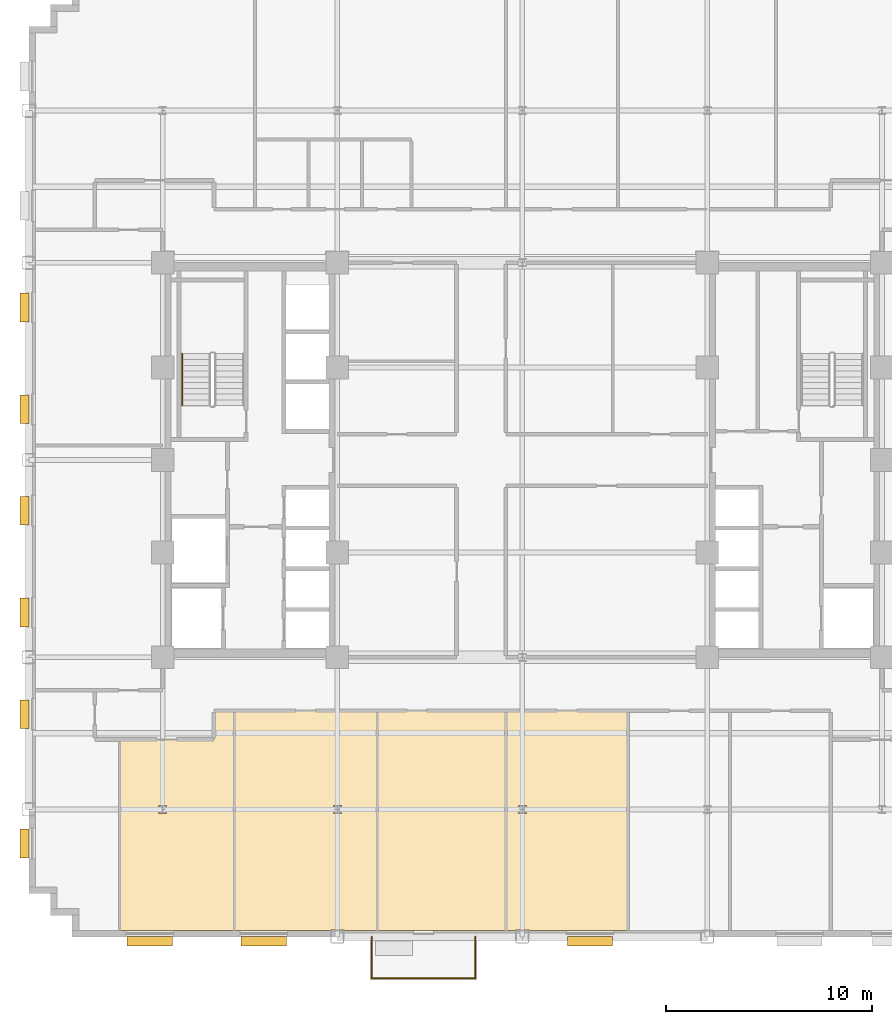
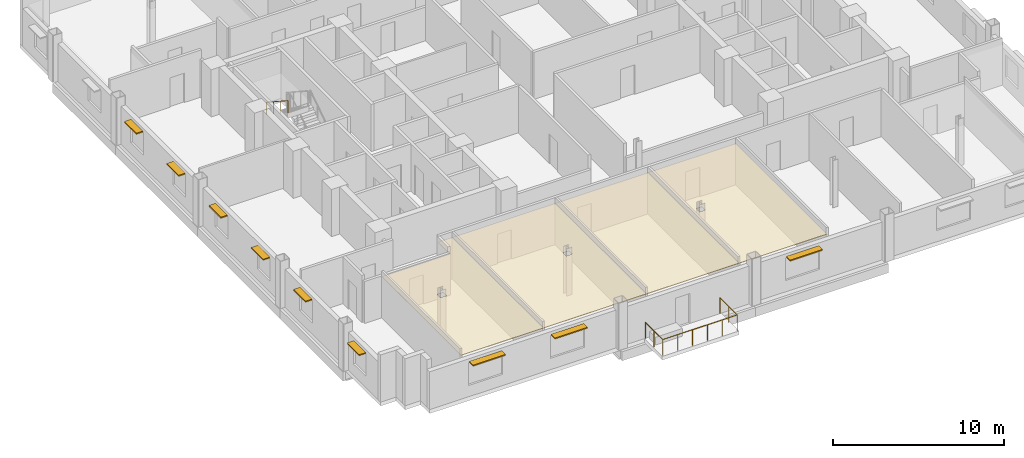
# One storey, part 11 of 14: 9 shading devices, 4 coverings, 2 railings.
"""IFC4 building model written with IfcOpenShell, lengths in metres."""

import ifcopenshell
import ifcopenshell.guid

model = None  # the IFC model being written
_history = None  # IfcOwnerHistory: only IFC2X3 demands one
_inside = {}  # id of a spatial element -> (the spatial element, [elements in it])
_under = {}  # id of a project, library or spatial element -> (it, [spatial elements below it])
_declared = {}  # id of a project -> (the project, [libraries it declares])
_typed = {}  # id of a type object -> (the type object, [elements of that type])
_made_of = {}  # id of a material, layer set ... -> (it, [elements and type objects made of it])


def new_model(schema):
    """Start an empty IFC model of exactly this schema.

    Asked for "IFC4X3", IfcOpenShell would pick the latest addendum, in which some entities
    have other attributes; the version numbers below select the first issue.
    IFC2X3 requires an IfcOwnerHistory on every rooted entity: one is made here for all.
    """
    global model, _history
    if schema == "IFC4X3":
        model = ifcopenshell.file(schema_version=(4, 3, 0, 0))
    else:
        model = ifcopenshell.file(schema=schema)
    _inside.clear()
    _under.clear()
    _declared.clear()
    _typed.clear()
    _made_of.clear()
    _history = None
    if model.schema == "IFC2X3":
        org = make("IfcOrganization", Name="unknown")
        user = make(
            "IfcPersonAndOrganization",
            ThePerson=make("IfcPerson", FamilyName="unknown"),
            TheOrganization=org,
        )
        app = make(
            "IfcApplication",
            ApplicationDeveloper=org,
            Version="unknown",
            ApplicationFullName="unknown",
            ApplicationIdentifier="unknown",
        )
        _history = make(
            "IfcOwnerHistory",
            OwningUser=user,
            OwningApplication=app,
            ChangeAction="ADDED",
            CreationDate=0,
        )
    return model


def make(cls, **values):
    """One entity of the class cls with the attributes given. An attribute that is None is left unset."""
    return model.create_entity(
        cls, **{name: value for name, value in values.items() if value is not None}
    )


def rooted(cls, **values):
    """An entity with a GlobalId (a new one), such as an element, a storey or a relation."""
    return make(cls, GlobalId=ifcopenshell.guid.new(), OwnerHistory=_history, **values)


def si_unit(unit_type, name, prefix=None):
    """IfcSIUnit, for example si_unit("LENGTHUNIT", "METRE", prefix="MILLI")."""
    return make("IfcSIUnit", UnitType=unit_type, Prefix=prefix, Name=name)


def assignment(units):
    """IfcUnitAssignment: the units of a project."""
    return None if units is None else make("IfcUnitAssignment", Units=units)


def point(xyz):
    """IfcCartesianPoint."""
    return None if xyz is None else make("IfcCartesianPoint", Coordinates=xyz)


def direction(xyz):
    """IfcDirection."""
    return None if xyz is None else make("IfcDirection", DirectionRatios=xyz)


def frame(location, z_axis=None, x_axis=None):
    """IfcAxis2Placement3D, a coordinate frame: its origin and axes. An axis left out is left unset."""
    return make(
        "IfcAxis2Placement3D",
        Location=point(location),
        Axis=direction(z_axis),
        RefDirection=direction(x_axis),
    )


def frame_2d(location, x_axis=None):
    """IfcAxis2Placement2D, a coordinate frame in the plane: its origin and x axis."""
    return make(
        "IfcAxis2Placement2D", Location=point(location), RefDirection=direction(x_axis)
    )


def origin():
    """The frame at (0, 0, 0) with its axes left unset."""
    return frame((0.0, 0.0, 0.0))


def origin_2d():
    """The frame at (0, 0) in the plane with its x axis left unset."""
    return frame_2d((0.0, 0.0))


def place(relative_to, where):
    """IfcLocalPlacement: puts the frame where relative to a parent placement (None: the world)."""
    return make(
        "IfcLocalPlacement", PlacementRelTo=relative_to, RelativePlacement=where
    )


def context(
    kind, dimensions, precision=None, world=None, true_north=None, identifier=None
):
    """IfcGeometricRepresentationContext, for example the 3D "Model" context."""
    return make(
        "IfcGeometricRepresentationContext",
        ContextIdentifier=identifier,
        ContextType=kind,
        CoordinateSpaceDimension=dimensions,
        Precision=precision,
        WorldCoordinateSystem=world,
        TrueNorth=true_north,
    )


def subcontext(parent, identifier, kind, view, scale=None):
    """IfcGeometricRepresentationSubContext, for example "Body" below "Model"."""
    return make(
        "IfcGeometricRepresentationSubContext",
        ContextIdentifier=identifier,
        ContextType=kind,
        ParentContext=parent,
        TargetScale=scale,
        TargetView=view,
    )


def project(units=None, contexts=None):
    """IfcProject with its units and contexts."""
    return rooted(
        "IfcProject",
        Name="project",
        RepresentationContexts=contexts,
        UnitsInContext=assignment(units),
    )


def spatial(cls, under=None, at=None, **own):
    """A site, building, storey or space (cls), placed at a placement, below another one or the project."""
    s = rooted(cls, ObjectPlacement=at, **own)
    if under is not None:
        _under.setdefault(under.id(), (under, []))[1].append(s)
    return s


def polyline(points):
    """IfcPolyline through the points."""
    return make("IfcPolyline", Points=[point(p) for p in points])


def profile(cls, at=None, kind="AREA", **sizes):
    """A parametric profile (cls). Its sizes go by their IFC names, for example OverallWidth=200.0."""
    return make(cls, ProfileType=kind, Position=at, **sizes)


def rectangle(**sizes):
    """IfcRectangleProfileDef."""
    return profile("IfcRectangleProfileDef", **sizes)


def circle(**sizes):
    """IfcCircleProfileDef."""
    return profile("IfcCircleProfileDef", **sizes)


def outline(outer, holes=None, kind="AREA"):
    """IfcArbitraryClosedProfileDef: a profile drawn as a closed curve; with holes, ...WithVoids."""
    if holes is None:
        return make("IfcArbitraryClosedProfileDef", ProfileType=kind, OuterCurve=outer)
    return make(
        "IfcArbitraryProfileDefWithVoids",
        ProfileType=kind,
        OuterCurve=outer,
        InnerCurves=holes,
    )


def extrude(swept, where, along, depth):
    """IfcExtrudedAreaSolid: the profile swept, set in the frame where, extruded along a direction by depth."""
    return make(
        "IfcExtrudedAreaSolid",
        SweptArea=swept,
        Position=where,
        ExtrudedDirection=direction(along),
        Depth=depth,
    )


def shape(context_of_items, identifier, shape_type, items):
    """IfcShapeRepresentation: the items that make up one representation, for example the "Body"."""
    return make(
        "IfcShapeRepresentation",
        ContextOfItems=context_of_items,
        RepresentationIdentifier=identifier,
        RepresentationType=shape_type,
        Items=items,
    )


def source(mapping_origin, context_of_items, identifier, shape_type, items):
    """IfcRepresentationMap: a shape defined once, which mapped items show again and again."""
    return make(
        "IfcRepresentationMap",
        MappingOrigin=mapping_origin,
        MappedRepresentation=shape(context_of_items, identifier, shape_type, items),
    )


def transform(
    local_origin,
    x_axis=None,
    y_axis=None,
    z_axis=None,
    scale=None,
    scale2=None,
    scale3=None,
    uniform=True,
):
    """IfcCartesianTransformationOperator3D, or its non-uniform kind. x_axis, y_axis, z_axis: its Axis1, 2, 3."""
    if uniform:
        return make(
            "IfcCartesianTransformationOperator3D",
            Axis1=direction(x_axis),
            Axis2=direction(y_axis),
            LocalOrigin=point(local_origin),
            Scale=scale,
            Axis3=direction(z_axis),
        )
    return make(
        "IfcCartesianTransformationOperator3DnonUniform",
        Axis1=direction(x_axis),
        Axis2=direction(y_axis),
        LocalOrigin=point(local_origin),
        Scale=scale,
        Axis3=direction(z_axis),
        Scale2=scale2,
        Scale3=scale3,
    )


def mapped(mapping_source, mapping_target):
    """IfcMappedItem: shows the shape of a source again, moved by a transform."""
    return make(
        "IfcMappedItem", MappingSource=mapping_source, MappingTarget=mapping_target
    )


def material(Name=None, Category=None):
    """IfcMaterial."""
    return make("IfcMaterial", Name=Name, Category=Category)


def layer(
    of_material, thickness, ventilated=None, Name=None, Category=None, Priority=None
):
    """IfcMaterialLayer: one layer of a wall or slab, of a material (None: an air gap)."""
    return make(
        "IfcMaterialLayer",
        Material=of_material,
        LayerThickness=thickness,
        IsVentilated=ventilated,
        Name=Name,
        Category=Category,
        Priority=Priority,
    )


def layer_set(layers, Name=None):
    """IfcMaterialLayerSet."""
    return make("IfcMaterialLayerSet", MaterialLayers=layers, LayerSetName=Name)


def made_of(thing, what):
    """Note that an element or type object is made of a material, layer set ...; save() writes the relation."""
    if what is not None:
        _made_of.setdefault(what.id(), (what, []))[1].append(thing)
    return thing


def type_object(cls, material=None, **own):
    """A type object (cls), such as IfcWallType, which elements share."""
    return made_of(rooted(cls, **own), material)


def type_shapes(of_type, sources):
    """Give a type object the sources (RepresentationMaps) that its elements show as mapped items."""
    of_type.RepresentationMaps = sources


def element(
    cls,
    number,
    at=None,
    inside=None,
    cuts=None,
    type_object=None,
    material=None,
    context=None,
    identifier="Body",
    shape_type=None,
    held_by="IfcProductDefinitionShape",
    body=None,
    shapes=None,
    **own,
):
    """One element of the class cls, such as IfcWall. Its Tag is "e" and its number.

    at: its placement. inside: the storey or other place that contains it. cuts: it is an
    opening in that element (IfcRelVoidsElement). A single representation is given by context,
    identifier, shape_type and body (its items); several are given by shapes. held_by: the class
    of the entity that holds the representations. save() writes the other relations.
    """
    e = rooted(cls, Tag="e%d" % number, ObjectPlacement=at, **own)
    if body is not None:
        shapes = [shape(context, identifier, shape_type, body)]
    if shapes is not None:
        e.Representation = make(held_by, Representations=shapes)
    if inside is not None:
        _inside.setdefault(inside.id(), (inside, []))[1].append(e)
    if cuts is not None:
        rooted(
            "IfcRelVoidsElement", RelatingBuildingElement=cuts, RelatedOpeningElement=e
        )
    if type_object is not None:
        _typed.setdefault(type_object.id(), (type_object, []))[1].append(e)
    return made_of(e, material)


def aggregate(whole, parts):
    """IfcRelAggregates: a whole, such as a stair, and the parts it consists of."""
    return rooted("IfcRelAggregates", RelatingObject=whole, RelatedObjects=parts)


def save(model, path):
    """Write the relations noted so far, then the file.

    IfcRelAggregates (storeys below a building ...), IfcRelContainedInSpatialStructure (elements
    in a storey), IfcRelDefinesByType, IfcRelAssociatesMaterial and IfcRelDeclares: one each for
    every whole, place, type object, material and project.
    """
    for whole, parts in _under.values():
        aggregate(whole, parts)
    for where, things in _inside.values():
        rooted(
            "IfcRelContainedInSpatialStructure",
            RelatedElements=things,
            RelatingStructure=where,
        )
    for kind, things in _typed.values():
        rooted("IfcRelDefinesByType", RelatedObjects=things, RelatingType=kind)
    for what, things in _made_of.values():
        rooted("IfcRelAssociatesMaterial", RelatedObjects=things, RelatingMaterial=what)
    for by, libraries in _declared.values():
        rooted("IfcRelDeclares", RelatingContext=by, RelatedDefinitions=libraries)
    model.write(path)


model = new_model("IFC4")

# Units and contexts
model_context = context("Model", 3, precision=1e-05, world=origin(), true_north=direction((0.0, 1.0)))
body_context = subcontext(model_context, "Body", "Model", "MODEL_VIEW")
ifc_project = project(units=[si_unit("LENGTHUNIT", "METRE"), si_unit("AREAUNIT", "SQUARE_METRE"), si_unit("VOLUMEUNIT", "CUBIC_METRE"), si_unit("PLANEANGLEUNIT", "RADIAN"), si_unit("MASSUNIT", "GRAM", prefix="KILO")], contexts=[model_context])

# Site, building, storey
site_placement = place(None, origin())
site = spatial("IfcSite", under=ifc_project, at=site_placement, CompositionType="ELEMENT")
building_placement = place(site_placement, origin())
building = spatial("IfcBuilding", under=site, at=building_placement, Name="Nuvemarco Arch Tower", CompositionType="ELEMENT")
storey_placement = place(building_placement, frame((0.0, 0.0, 105.60009765625)))
storey = spatial("IfcBuildingStorey", under=building, at=storey_placement, Name="L27", CompositionType="ELEMENT", Elevation=105.60009765625)

# Coverings
ifc_material_1 = material(Name="Mineral acoustic ceiling tile")
ifc_layer = layer(ifc_material_1, 0.0400390625, Name="COV-ACOUSTIC-CLG")
ifc_layer_set = layer_set([ifc_layer], Name="Mineral acoustic ceiling tile")
covering_type = type_object("IfcCoveringType", Name="COV-ACOUSTIC-CLG", PredefinedType="CEILING", material=ifc_layer_set)
covering_1_placement = place(storey_placement, frame((0.0, 0.0, 2.849853515625)))
element("IfcCovering", 1, at=covering_1_placement, inside=storey, type_object=covering_type, Name="L27 suspended acoustic ceiling 4", PredefinedType="CEILING", context=body_context, shape_type="SweptSolid", body=[
    extrude(outline(polyline([(-8.659912109375, -22.8798828125), (-8.659912109375, -22.860107421875), (-9.340087890625, -22.860107421875), (-9.340087890625, -22.8798828125), (-14.02001953125, -22.8798828125), (-14.02001953125, -12.199951171875), (-7.06005859375, -12.199951171875), (-7.06005859375, -22.8798828125), (-8.659912109375, -22.8798828125)]), holes=[polyline([(-8.804931640625, -17.195068359375), (-8.804931640625, -16.804931640625), (-9.195068359375, -16.804931640625), (-9.195068359375, -17.195068359375), (-8.804931640625, -17.195068359375)])]), origin(), (0.0, 0.0, 1.0), 0.0400390625),
])
covering_2_placement = place(storey_placement, frame((0.0, 0.0, 2.849853515625)))
element("IfcCovering", 2, at=covering_2_placement, inside=storey, type_object=covering_type, Name="L27 suspended acoustic ceiling 5", PredefinedType="CEILING", context=body_context, shape_type="SweptSolid", body=[
    extrude(outline(polyline([(-0.800048828125, -22.8798828125), (-7.06005859375, -22.8798828125), (-7.06005859375, -12.199951171875), (-3.199951171875, -12.199951171875), (-0.800048828125, -12.199951171875), (-0.800048828125, -22.8798828125)])), origin(), (0.0, 0.0, 1.0), 0.0400390625),
])
covering_3_placement = place(storey_placement, frame((0.0, 0.0, 2.849853515625)))
element("IfcCovering", 3, at=covering_3_placement, inside=storey, type_object=covering_type, Name="L27 suspended acoustic ceiling 6", PredefinedType="CEILING", context=body_context, shape_type="SweptSolid", body=[
    extrude(outline(polyline([(0.340087890625, -22.8798828125), (0.340087890625, -22.860107421875), (-0.340087890625, -22.860107421875), (-0.340087890625, -22.8798828125), (-0.800048828125, -22.8798828125), (-0.800048828125, -12.199951171875), (5.14990234375, -12.199951171875), (5.14990234375, -22.8798828125), (0.340087890625, -22.8798828125)]), holes=[polyline([(0.195068359375, -17.195068359375), (0.195068359375, -16.804931640625), (-0.195068359375, -16.804931640625), (-0.195068359375, -17.195068359375), (0.195068359375, -17.195068359375)])]), origin(), (0.0, 0.0, 1.0), 0.0400390625),
])
covering_4_placement = place(storey_placement, frame((0.0, 0.0, 2.849853515625)))
element("IfcCovering", 4, at=covering_4_placement, inside=storey, type_object=covering_type, Name="L27 suspended acoustic ceiling 7", PredefinedType="CEILING", context=body_context, shape_type="SweptSolid", body=[
    extrude(outline(polyline([(-14.02001953125, -12.199951171875), (-14.02001953125, -22.8798828125), (-19.590087890625, -22.8798828125), (-19.590087890625, -13.60009765625), (-15.0, -13.60009765625), (-15.0, -12.199951171875), (-14.02001953125, -12.199951171875)]), holes=[polyline([(-17.304931640625, -16.804931640625), (-17.695068359375, -16.804931640625), (-17.695068359375, -17.195068359375), (-17.304931640625, -17.195068359375), (-17.304931640625, -16.804931640625)])]), origin(), (0.0, 0.0, 1.0), 0.0400390625),
])

# Railings
ifc_material_2 = material(Name="Brushed stainless steel handrail", Category="steel")
railing_type_1 = type_object("IfcRailingType", Name="RL-HANDRAIL-900", PredefinedType="HANDRAIL", material=ifc_material_2)
railing_1_placement = place(storey_placement, frame((-16.550048828125, 5.169921875, 2.00732421875)))
element("IfcRailing", 5, at=railing_1_placement, inside=storey, type_object=railing_type_1, Name="L27 ST-1 stair handrail 2", PredefinedType="HANDRAIL", context=body_context, shape_type="SweptSolid", body=[
    extrude(circle(Radius=0.02392578125, at=origin_2d()), frame((0.0, 0.0, 0.8759765625), z_axis=(0.0, -0.837749427056, 0.546054848405), x_axis=(1.0, 0.0, 0.0)), (0.0, 0.0, 1.0), 3.008056640625),
    extrude(circle(Radius=0.02099609375, at=origin_2d()), origin(), (0.0, 0.0, 1.0), 0.851806640625),
    extrude(circle(Radius=0.02099609375, at=origin_2d()), frame((0.0, -0.840087890625, 0.547607421875)), (0.0, 0.0, 1.0), 0.851806640625),
    extrude(circle(Radius=0.02099609375, at=origin_2d()), frame((0.0, -1.679931640625, 1.094970703125)), (0.0, 0.0, 1.0), 0.851806640625),
    extrude(circle(Radius=0.02099609375, at=origin_2d()), frame((0.0, -2.52001953125, 1.642578125)), (0.0, 0.0, 1.0), 0.851806640625),
])
ifc_material_3 = material(Name="Dark anodised balustrade steel S355", Category="steel")
railing_type_2 = type_object("IfcRailingType", Name="RL-TERR-GUARD", PredefinedType="BALUSTRADE", material=ifc_material_3)
railing_2_placement = place(storey_placement, frame((-7.320068359375, -23.199951171875, 0.0)))
element("IfcRailing", 6, at=railing_2_placement, inside=storey, type_object=railing_type_2, Name="L27 tree balcony perimeter balustrade guard", PredefinedType="BALUSTRADE", context=body_context, shape_type="SweptSolid", body=[
    extrude(circle(Radius=0.02392578125, at=origin_2d()), frame((0.0, 0.0, 1.1259765625), z_axis=(0.0, -1.0, 0.0), x_axis=(1.0, 0.0, 0.0)), (0.0, 0.0, 1.0), 2.02001953125),
    extrude(circle(Radius=0.02392578125, at=origin_2d()), frame((0.0, -2.02001953125, 1.1259765625), z_axis=(1.0, 0.0, 0.0), x_axis=(0.0, 1.0, 0.0)), (0.0, 0.0, 1.0), 5.0400390625),
    extrude(circle(Radius=0.02392578125, at=origin_2d()), frame((5.0400390625, -2.02001953125, 1.1259765625), z_axis=(0.0, 1.0, 0.0), x_axis=(-1.0, 0.0, 0.0)), (0.0, 0.0, 1.0), 2.02001953125),
    extrude(circle(Radius=0.02099609375, at=origin_2d()), origin(), (0.0, 0.0, 1.0), 1.101806640625),
    extrude(circle(Radius=0.02099609375, at=origin_2d()), frame((0.0, -1.010009765625, 0.0)), (0.0, 0.0, 1.0), 1.101806640625),
    extrude(circle(Radius=0.02099609375, at=origin_2d()), frame((0.0, -2.02001953125, 0.0)), (0.0, 0.0, 1.0), 1.101806640625),
    extrude(circle(Radius=0.02099609375, at=origin_2d()), frame((1.008056640625, -2.02001953125, 0.0)), (0.0, 0.0, 1.0), 1.101806640625),
    extrude(circle(Radius=0.02099609375, at=origin_2d()), frame((2.01611328125, -2.02001953125, 0.0)), (0.0, 0.0, 1.0), 1.101806640625),
    extrude(circle(Radius=0.02099609375, at=origin_2d()), frame((3.02392578125, -2.02001953125, 0.0)), (0.0, 0.0, 1.0), 1.101806640625),
    extrude(circle(Radius=0.02099609375, at=origin_2d()), frame((4.031982421875, -2.02001953125, 0.0)), (0.0, 0.0, 1.0), 1.101806640625),
    extrude(circle(Radius=0.02099609375, at=origin_2d()), frame((5.0400390625, -2.02001953125, 0.0)), (0.0, 0.0, 1.0), 1.101806640625),
    extrude(circle(Radius=0.02099609375, at=origin_2d()), frame((5.0400390625, -1.010009765625, 0.0)), (0.0, 0.0, 1.0), 1.101806640625),
    extrude(circle(Radius=0.02099609375, at=origin_2d()), frame((5.0400390625, 0.0, 0.0)), (0.0, 0.0, 1.0), 1.101806640625),
])

# Shading devices
ifc_material_4 = material(Name="Anodised aluminium 6063-T6", Category="aluminium")
shading_device_type_1 = type_object("IfcShadingDeviceType", Name="SHD-BRISE-SOLEIL", PredefinedType="USERDEFINED", material=ifc_material_4)
shared_shape_1 = source(origin(), body_context, "Body", "SweptSolid", [
    extrude(rectangle(XDim=2.199951171875, YDim=0.449951171875, at=origin_2d()), origin(), (0.0, 0.0, 1.0), 0.080078125),
])
type_shapes(shading_device_type_1, [shared_shape_1])
for number, where, z_axis, x_axis, name in (
    (7, (-18.127685546875, -23.4150390625, 2.4248046875), (0.0, 0.0, 1.0), (1.0, 0.0, 0.0), "L27 horizontal brise-soleil sunshade"),
    (8, (-12.583251953125, -23.4150390625, 2.4248046875), (0.0, 0.0, 1.0), (1.0, 0.0, 0.0), "L27 horizontal brise-soleil sunshade"),
    (9, (3.29443359375, -23.4150390625, 2.4248046875), (0.0, 0.0, 1.0), (1.0, 0.0, 0.0), "L27 horizontal brise-soleil sunshade"),
):
    element("IfcShadingDevice", number, at=place(storey_placement, frame(where, z_axis=z_axis, x_axis=x_axis)), inside=storey, type_object=shading_device_type_1, Name=name, ObjectType="SUNSHADE", PredefinedType="USERDEFINED", context=body_context, shape_type="MappedRepresentation", body=[
        mapped(shared_shape_1, transform((0.0, 0.0, 0.0), scale=1.0)),
    ])
shading_device_type_2 = type_object("IfcShadingDeviceType", Name="SHD-BRISE-NARROW", PredefinedType="USERDEFINED", material=ifc_material_4)
shared_shape_2 = source(origin(), body_context, "Body", "SweptSolid", [
    extrude(rectangle(XDim=1.39990234375, YDim=0.449951171875, at=origin_2d()), origin(), (0.0, 0.0, 1.0), 0.080078125),
])
type_shapes(shading_device_type_2, [shared_shape_2])
for number, where, z_axis, x_axis, name in (
    (10, (-24.215087890625, -18.660888671875, 2.40478515625), (0.0, 0.0, 1.0), (0.0, 1.0, 0.0), "L27 horizontal brise-soleil sunshade"),
    (11, (-24.215087890625, -12.364990234375, 2.40478515625), (0.0, 0.0, 1.0), (0.0, 1.0, 0.0), "L27 horizontal brise-soleil sunshade"),
    (12, (-24.215087890625, -7.4189453125, 2.40478515625), (0.0, 0.0, 1.0), (0.0, 1.0, 0.0), "L27 horizontal brise-soleil sunshade"),
    (13, (-24.215087890625, -2.472900390625, 2.40478515625), (0.0, 0.0, 1.0), (0.0, 1.0, 0.0), "L27 horizontal brise-soleil sunshade"),
    (14, (-24.215087890625, 2.472900390625, 2.40478515625), (0.0, 0.0, 1.0), (0.0, 1.0, 0.0), "L27 horizontal brise-soleil sunshade"),
    (15, (-24.215087890625, 7.4189453125, 2.40478515625), (0.0, 0.0, 1.0), (0.0, 1.0, 0.0), "L27 horizontal brise-soleil sunshade"),
):
    element("IfcShadingDevice", number, at=place(storey_placement, frame(where, z_axis=z_axis, x_axis=x_axis)), inside=storey, type_object=shading_device_type_2, Name=name, ObjectType="SUNSHADE", PredefinedType="USERDEFINED", context=body_context, shape_type="MappedRepresentation", body=[
        mapped(shared_shape_2, transform((0.0, 0.0, 0.0), scale=1.0)),
    ])

save(model, "model.ifc")
